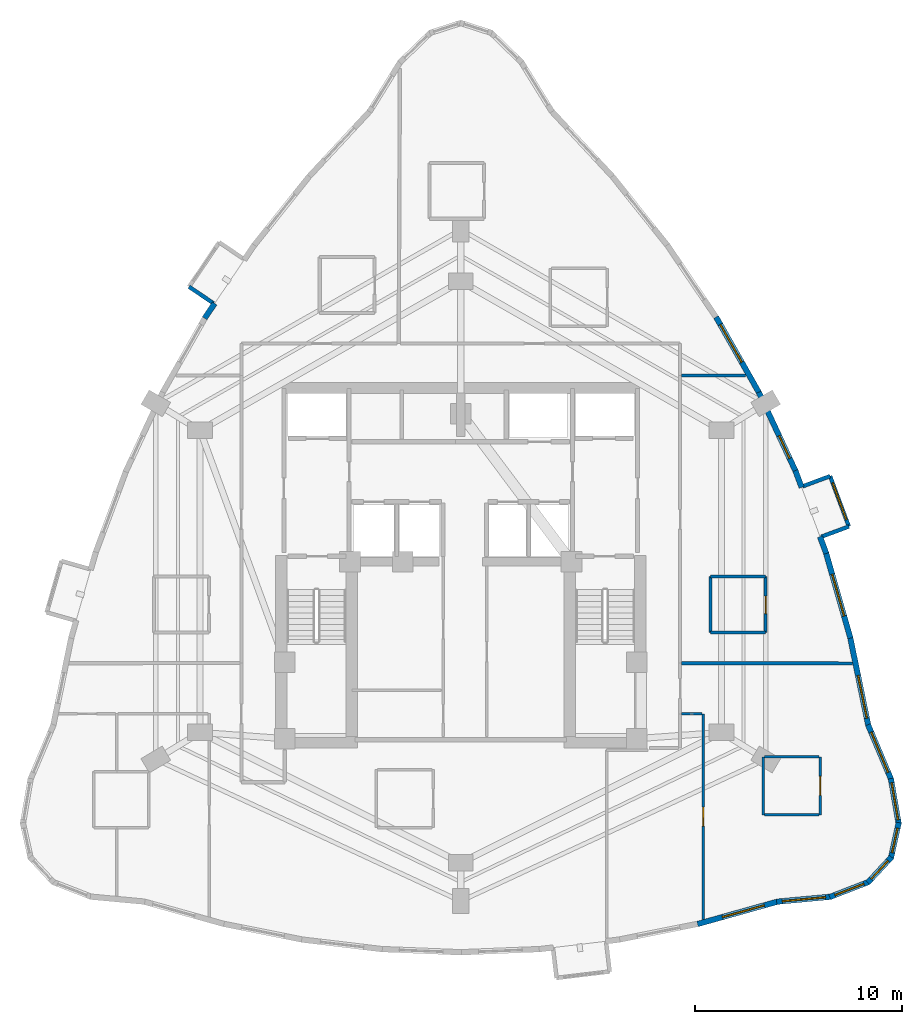
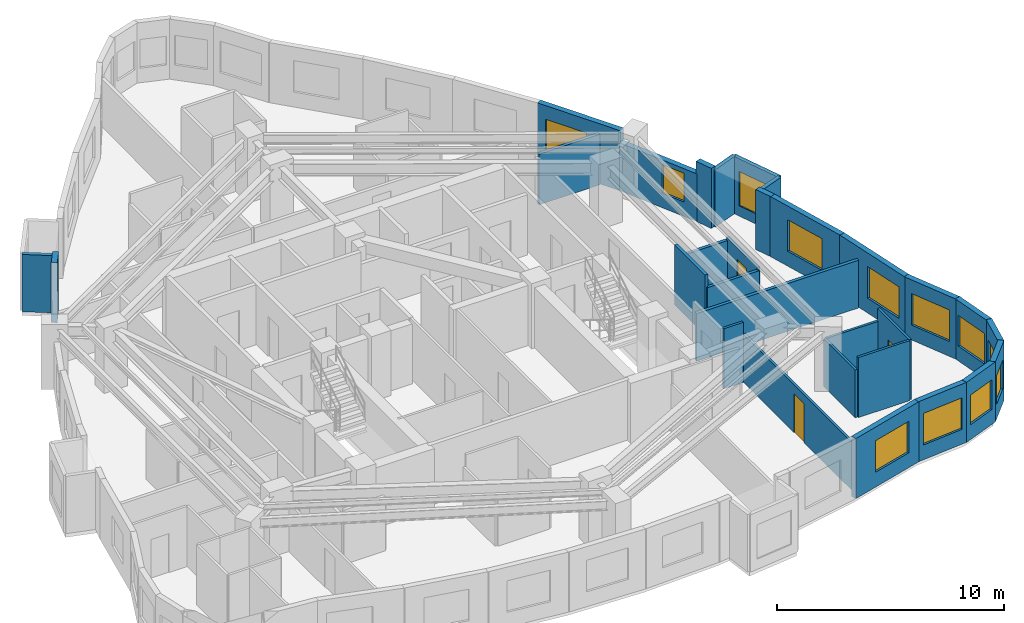
# One storey, part 7 of 10: 30 walls, 12 windows, 3 doors, 15 openings.
"""IFC4 building model written with IfcOpenShell, lengths in metres."""

from ifc_helpers import new_model, si_unit, direction, frame, frame_2d, origin, place, context, subcontext, project, spatial, rectangle, extrude, material, layer, layer_set, type_object, element, fill, save


model = new_model("IFC4")

# Units and contexts
model_context = context("Model", 3, precision=1e-05, world=origin(), true_north=direction((0.0, 1.0)))
body_context = subcontext(model_context, "Body", "Model", "MODEL_VIEW")
ifc_project = project(units=[si_unit("LENGTHUNIT", "METRE"), si_unit("AREAUNIT", "SQUARE_METRE"), si_unit("VOLUMEUNIT", "CUBIC_METRE"), si_unit("PLANEANGLEUNIT", "RADIAN"), si_unit("MASSUNIT", "GRAM", prefix="KILO")], contexts=[model_context])

# Site, building, storey
site_placement = place(None, origin())
site = spatial("IfcSite", under=ifc_project, at=site_placement, CompositionType="ELEMENT")
building_placement = place(site_placement, origin())
building = spatial("IfcBuilding", under=site, at=building_placement, Name="Miruveldt Soraemaru", CompositionType="ELEMENT")
storey_placement = place(building_placement, frame((0.0, 0.0, 173.89990234375)))
storey = spatial("IfcBuildingStorey", under=building, at=storey_placement, Name="L48", CompositionType="ELEMENT", Elevation=173.89990234375)

# Walls
ifc_material_1 = material(Name="White powder-coated aluminium EN AW-6060 T6", Category="aluminium")
ifc_layer_1 = layer(ifc_material_1, 0.18994140625, Name="White powder-coated aluminium EN AW-6060 T6", Category="aluminium")
ifc_layer_set_1 = layer_set([ifc_layer_1], Name="White powder-coated aluminium EN AW-6060 T6")
wall_type_1 = type_object("IfcWallType", Name="WALL-BAY-ALU190", PredefinedType="SOLIDWALL", material=ifc_layer_set_1)
for number, where, z_axis, x_axis, name in (
    (1, (30.864990234375, 57.342529296875, 0.0), (0.0, 0.0, 1.0), (0.827862228344, -0.560931485016, 0.0), "L48 Bay Window Side Cheek 1R"),
    (2, (61.424560546875, 45.257080078125, 0.0), (0.0, 0.0, 1.0), (0.937129361406, 0.348982177182, 0.0), "L48 Bay Window Side Cheek 4L"),
    (3, (61.8525390625, 48.19091796875, 0.0), (0.0, 0.0, 1.0), (-0.937129361406, -0.348982177182, 0.0), "L48 Bay Window Side Cheek 4R"),
):
    element("IfcWall", number, at=place(storey_placement, frame(where, z_axis=z_axis, x_axis=x_axis)), inside=storey, type_object=wall_type_1, Name=name, PredefinedType="SOLIDWALL", context=body_context, shape_type="SweptSolid", body=[
        extrude(rectangle(XDim=1.425048828125, YDim=0.18994140625, at=frame_2d((0.71240234375, 0.0))), origin(), (0.0, 0.0, 1.0), 3.085205078125),
    ])

# Wall, opening, window
wall_1_placement = place(storey_placement, frame((62.760009765625, 45.75439453125, 0.0), z_axis=(0.0, 0.0, 1.0), x_axis=(-0.349023333144, 0.937114034107, 0.0)))
wall_1 = element("IfcWall", 4, at=wall_1_placement, inside=storey, type_object=wall_type_1, Name="L48 Bay Window Front Frame 4", PredefinedType="SOLIDWALL", context=body_context, shape_type="SweptSolid", body=[
    extrude(rectangle(XDim=2.60009765625, YDim=0.18994140625, at=frame_2d((1.300048828125, 0.0))), origin(), (0.0, 0.0, 1.0), 3.085205078125),
])
opening_1_placement = place(wall_1_placement, frame((0.35009765625, 0.0, 0.550048828125)))
opening_1 = element("IfcOpeningElement", 5, at=opening_1_placement, cuts=wall_1, Name="Opening WN-6", PredefinedType="OPENING", context=body_context, shape_type="SweptSolid", body=[
    extrude(rectangle(XDim=1.89990234375, YDim=1.85009765625, at=frame_2d((0.949951171875, 0.925048828125))), frame((0.0, 0.10498046875, 0.0), z_axis=(0.0, -1.0, 0.0), x_axis=(1.0, 0.0, 0.0)), (0.0, 0.0, 1.0), 0.2099609375),
])
ifc_material_2 = material(Name="Triple low-e insulated glazing", Category="glass")
window_type_1 = type_object("IfcWindowType", Name="WIN-BAYW-1900x1850", PartitioningType="SINGLE_PANEL", PredefinedType="WINDOW", material=ifc_material_2)
window_1_placement = place(opening_1_placement, origin())
window_1 = element("IfcWindow", 6, at=window_1_placement, inside=storey, type_object=window_type_1, Name="L48 Projecting Bay Window 4", OverallHeight=1.85009765625, OverallWidth=1.89990234375, PartitioningType="SINGLE_PANEL", PredefinedType="WINDOW", context=body_context, shape_type="SweptSolid", body=[
    extrude(rectangle(XDim=1.89990234375, YDim=1.85009765625, at=frame_2d((0.949951171875, 0.925048828125))), frame((0.0, 0.030029296875, 0.0), z_axis=(0.0, -1.0, 0.0), x_axis=(1.0, 0.0, 0.0)), (0.0, 0.0, 1.0), 0.06005859375),
])
fill(opening_1, window_1)

# Wall
ifc_material_3 = material(Name="Precast concrete C45/55 (45 MPa)", Category="concrete")
ifc_layer_2 = layer(ifc_material_3, 0.27001953125, Name="Precast concrete C45/55 (45 MPa)", Category="concrete")
ifc_layer_set_2 = layer_set([ifc_layer_2], Name="Precast concrete C45/55 (45 MPa)")
wall_type_2 = type_object("IfcWallType", Name="WALL-EXT-PC270", PredefinedType="SOLIDWALL", material=ifc_layer_set_2)
wall_2_placement = place(storey_placement, frame((32.10693359375, 56.537353515625, 0.0), z_axis=(0.0, 0.0, 1.0), x_axis=(-0.560661430065, -0.828045144203, 0.0)))
element("IfcWall", 7, at=wall_2_placement, inside=storey, type_object=wall_type_2, Name="L48 Precast Pier Wall 9B", PredefinedType="SOLIDWALL", context=body_context, shape_type="SweptSolid", body=[
    extrude(rectangle(XDim=0.867431640625, YDim=0.27001953125, at=frame_2d((0.43359375, 0.0))), origin(), (0.0, 0.0, 1.0), 3.235107421875),
])

# Wall, opening, window
wall_3_placement = place(storey_placement, frame((55.44384765625, 26.54052734375, 0.0), z_axis=(0.0, 0.0, 1.0), x_axis=(0.962966528266, 0.269620966245, 0.0)))
wall_3 = element("IfcWall", 8, at=wall_3_placement, inside=storey, type_object=wall_type_2, Name="L48 Precast Concrete Facade Wall 28", PredefinedType="SOLIDWALL", context=body_context, shape_type="SweptSolid", body=[
    extrude(rectangle(XDim=4.04296875, YDim=0.27001953125, at=frame_2d((2.021484375, 0.0))), origin(), (0.0, 0.0, 1.0), 3.235107421875),
])
opening_2_placement = place(wall_3_placement, frame((1.25, 0.0, 0.800048828125)))
opening_2 = element("IfcOpeningElement", 9, at=opening_2_placement, cuts=wall_3, Name="Opening WN-1", PredefinedType="OPENING", context=body_context, shape_type="SweptSolid", body=[
    extrude(rectangle(XDim=2.10009765625, YDim=1.699951171875, at=frame_2d((1.050048828125, 0.85009765625))), frame((0.0, 0.14501953125, 0.0), z_axis=(0.0, -1.0, 0.0), x_axis=(1.0, 0.0, 0.0)), (0.0, 0.0, 1.0), 0.2900390625),
])
window_type_2 = type_object("IfcWindowType", Name="WIN-PUNCH-2100x1700", PartitioningType="SINGLE_PANEL", PredefinedType="WINDOW", material=ifc_material_2)
window_2_placement = place(opening_2_placement, origin())
window_2 = element("IfcWindow", 10, at=window_2_placement, inside=storey, type_object=window_type_2, Name="L48 Punched Triple-Glazed Window 28.1", OverallHeight=1.699951171875, OverallWidth=2.10009765625, PartitioningType="SINGLE_PANEL", PredefinedType="WINDOW", context=body_context, shape_type="SweptSolid", body=[
    extrude(rectangle(XDim=2.10009765625, YDim=1.699951171875, at=frame_2d((1.050048828125, 0.85009765625))), frame((0.0, 0.030029296875, 0.0), z_axis=(0.0, -1.0, 0.0), x_axis=(1.0, 0.0, 0.0)), (0.0, 0.0, 1.0), 0.06005859375),
])
fill(opening_2, window_2)

wall_4_placement = place(storey_placement, frame((59.2685546875, 27.617919921875, 0.0), z_axis=(0.0, 0.0, 1.0), x_axis=(0.995763558501, 0.091950723555, 0.0)))
wall_4 = element("IfcWall", 11, at=wall_4_placement, inside=storey, type_object=wall_type_2, Name="L48 Precast Concrete Facade Wall 29", PredefinedType="SOLIDWALL", context=body_context, shape_type="SweptSolid", body=[
    extrude(rectangle(XDim=2.64453125, YDim=0.27001953125, at=frame_2d((1.322265625, 0.0))), origin(), (0.0, 0.0, 1.0), 3.235107421875),
])
opening_3_placement = place(wall_4_placement, frame((0.27197265625, 0.0, 0.800048828125)))
opening_3 = element("IfcOpeningElement", 12, at=opening_3_placement, cuts=wall_4, Name="Opening WN-1", PredefinedType="OPENING", context=body_context, shape_type="SweptSolid", body=[
    extrude(rectangle(XDim=2.10009765625, YDim=1.699951171875, at=frame_2d((1.050048828125, 0.85009765625))), frame((0.0, 0.14501953125, 0.0), z_axis=(0.0, -1.0, 0.0), x_axis=(1.0, 0.0, 0.0)), (0.0, 0.0, 1.0), 0.2900390625),
])
window_3_placement = place(opening_3_placement, origin())
window_3 = element("IfcWindow", 13, at=window_3_placement, inside=storey, type_object=window_type_2, Name="L48 Punched Triple-Glazed Window 29.1", OverallHeight=1.699951171875, OverallWidth=2.10009765625, PartitioningType="SINGLE_PANEL", PredefinedType="WINDOW", context=body_context, shape_type="SweptSolid", body=[
    extrude(rectangle(XDim=2.10009765625, YDim=1.699951171875, at=frame_2d((1.050048828125, 0.85009765625))), frame((0.0, 0.030029296875, 0.0), z_axis=(0.0, -1.0, 0.0), x_axis=(1.0, 0.0, 0.0)), (0.0, 0.0, 1.0), 0.06005859375),
])
fill(opening_3, window_3)

wall_5_placement = place(storey_placement, frame((61.834228515625, 27.84521484375, 0.0), z_axis=(0.0, 0.0, 1.0), x_axis=(0.932267974852, 0.361768466101, 0.0)))
wall_5 = element("IfcWall", 14, at=wall_5_placement, inside=storey, type_object=wall_type_2, Name="L48 Precast Concrete Facade Wall 30", PredefinedType="SOLIDWALL", context=body_context, shape_type="SweptSolid", body=[
    extrude(rectangle(XDim=2.033935546875, YDim=0.27001953125, at=frame_2d((1.01708984375, 0.0))), origin(), (0.0, 0.0, 1.0), 3.235107421875),
])
opening_4_placement = place(wall_5_placement, frame((0.26708984375, 0.0, 0.800048828125)))
opening_4 = element("IfcOpeningElement", 15, at=opening_4_placement, cuts=wall_5, Name="Opening WN-3", PredefinedType="OPENING", context=body_context, shape_type="SweptSolid", body=[
    extrude(rectangle(XDim=1.5, YDim=1.60009765625, at=frame_2d((0.75, 0.800048828125))), frame((0.0, 0.14501953125, 0.0), z_axis=(0.0, -1.0, 0.0), x_axis=(1.0, 0.0, 0.0)), (0.0, 0.0, 1.0), 0.2900390625),
])
window_type_3 = type_object("IfcWindowType", Name="WIN-PUNCH-1500x1600", PartitioningType="SINGLE_PANEL", PredefinedType="WINDOW", material=ifc_material_2)
window_4_placement = place(opening_4_placement, origin())
window_4 = element("IfcWindow", 16, at=window_4_placement, inside=storey, type_object=window_type_3, Name="L48 Punched Triple-Glazed Window 30.1", OverallHeight=1.60009765625, OverallWidth=1.5, PartitioningType="SINGLE_PANEL", PredefinedType="WINDOW", context=body_context, shape_type="SweptSolid", body=[
    extrude(rectangle(XDim=1.5, YDim=1.60009765625, at=frame_2d((0.75, 0.800048828125))), frame((0.0, 0.030029296875, 0.0), z_axis=(0.0, -1.0, 0.0), x_axis=(1.0, 0.0, 0.0)), (0.0, 0.0, 1.0), 0.06005859375),
])
fill(opening_4, window_4)

wall_6_placement = place(storey_placement, frame((63.674072265625, 28.54248046875, 0.0), z_axis=(0.0, 0.0, 1.0), x_axis=(0.68010098508, 0.733118442064, 0.0)))
wall_6 = element("IfcWall", 17, at=wall_6_placement, inside=storey, type_object=wall_type_2, Name="L48 Precast Concrete Facade Wall 31", PredefinedType="SOLIDWALL", context=body_context, shape_type="SweptSolid", body=[
    extrude(rectangle(XDim=1.685302734375, YDim=0.27001953125, at=frame_2d((0.8427734375, 0.0))), origin(), (0.0, 0.0, 1.0), 3.235107421875),
])
opening_5_placement = place(wall_6_placement, frame((0.241943359375, 0.0, 0.780029296875)))
opening_5 = element("IfcOpeningElement", 18, at=opening_5_placement, cuts=wall_6, Name="Opening WN-4", PredefinedType="OPENING", context=body_context, shape_type="SweptSolid", body=[
    extrude(rectangle(XDim=1.199951171875, YDim=1.550048828125, at=frame_2d((0.60009765625, 0.77490234375))), frame((0.0, 0.14501953125, 0.0), z_axis=(0.0, -1.0, 0.0), x_axis=(1.0, 0.0, 0.0)), (0.0, 0.0, 1.0), 0.2900390625),
])
window_type_4 = type_object("IfcWindowType", Name="WIN-PUNCH-1200x1550", PartitioningType="SINGLE_PANEL", PredefinedType="WINDOW", material=ifc_material_2)
window_5_placement = place(opening_5_placement, origin())
window_5 = element("IfcWindow", 19, at=window_5_placement, inside=storey, type_object=window_type_4, Name="L48 Punched Triple-Glazed Window 31.1", OverallHeight=1.550048828125, OverallWidth=1.199951171875, PartitioningType="SINGLE_PANEL", PredefinedType="WINDOW", context=body_context, shape_type="SweptSolid", body=[
    extrude(rectangle(XDim=1.199951171875, YDim=1.550048828125, at=frame_2d((0.60009765625, 0.77490234375))), frame((0.0, 0.030029296875, 0.0), z_axis=(0.0, -1.0, 0.0), x_axis=(1.0, 0.0, 0.0)), (0.0, 0.0, 1.0), 0.06005859375),
])
fill(opening_5, window_5)

wall_7_placement = place(storey_placement, frame((64.788818359375, 29.718017578125, 0.0), z_axis=(0.0, 0.0, 1.0), x_axis=(0.215862834364, 0.976423697347, 0.0)))
wall_7 = element("IfcWall", 20, at=wall_7_placement, inside=storey, type_object=wall_type_2, Name="L48 Precast Concrete Facade Wall 32", PredefinedType="SOLIDWALL", context=body_context, shape_type="SweptSolid", body=[
    extrude(rectangle(XDim=1.767822265625, YDim=0.27001953125, at=frame_2d((0.8837890625, 0.0))), origin(), (0.0, 0.0, 1.0), 3.235107421875),
])
opening_6_placement = place(wall_7_placement, frame((0.283935546875, 0.0, 0.780029296875)))
opening_6 = element("IfcOpeningElement", 21, at=opening_6_placement, cuts=wall_7, Name="Opening WN-4", PredefinedType="OPENING", context=body_context, shape_type="SweptSolid", body=[
    extrude(rectangle(XDim=1.199951171875, YDim=1.550048828125, at=frame_2d((0.60009765625, 0.77490234375))), frame((0.0, 0.14501953125, 0.0), z_axis=(0.0, -1.0, 0.0), x_axis=(1.0, 0.0, 0.0)), (0.0, 0.0, 1.0), 0.2900390625),
])
window_6_placement = place(opening_6_placement, origin())
window_6 = element("IfcWindow", 22, at=window_6_placement, inside=storey, type_object=window_type_4, Name="L48 Punched Triple-Glazed Window 32.1", OverallHeight=1.550048828125, OverallWidth=1.199951171875, PartitioningType="SINGLE_PANEL", PredefinedType="WINDOW", context=body_context, shape_type="SweptSolid", body=[
    extrude(rectangle(XDim=1.199951171875, YDim=1.550048828125, at=frame_2d((0.60009765625, 0.77490234375))), frame((0.0, 0.030029296875, 0.0), z_axis=(0.0, -1.0, 0.0), x_axis=(1.0, 0.0, 0.0)), (0.0, 0.0, 1.0), 0.06005859375),
])
fill(opening_6, window_6)

wall_8_placement = place(storey_placement, frame((65.168701171875, 31.37548828125, 0.0), z_axis=(0.0, 0.0, 1.0), x_axis=(-0.169397854445, 0.985547749685, 0.0)))
wall_8 = element("IfcWall", 23, at=wall_8_placement, inside=storey, type_object=wall_type_2, Name="L48 Precast Concrete Facade Wall 33", PredefinedType="SOLIDWALL", context=body_context, shape_type="SweptSolid", body=[
    extrude(rectangle(XDim=2.232421875, YDim=0.27001953125, at=frame_2d((1.1162109375, 0.0))), origin(), (0.0, 0.0, 1.0), 3.235107421875),
])
opening_7_placement = place(wall_8_placement, frame((0.216064453125, 0.0, 0.800048828125)))
opening_7 = element("IfcOpeningElement", 24, at=opening_7_placement, cuts=wall_8, Name="Opening WN-2", PredefinedType="OPENING", context=body_context, shape_type="SweptSolid", body=[
    extrude(rectangle(XDim=1.800048828125, YDim=1.64990234375, at=frame_2d((0.89990234375, 0.824951171875))), frame((0.0, 0.14501953125, 0.0), z_axis=(0.0, -1.0, 0.0), x_axis=(1.0, 0.0, 0.0)), (0.0, 0.0, 1.0), 0.2900390625),
])
window_type_5 = type_object("IfcWindowType", Name="WIN-PUNCH-1800x1650", PartitioningType="SINGLE_PANEL", PredefinedType="WINDOW", material=ifc_material_2)
window_7_placement = place(opening_7_placement, origin())
window_7 = element("IfcWindow", 25, at=window_7_placement, inside=storey, type_object=window_type_5, Name="L48 Punched Triple-Glazed Window 33.1", OverallHeight=1.64990234375, OverallWidth=1.800048828125, PartitioningType="SINGLE_PANEL", PredefinedType="WINDOW", context=body_context, shape_type="SweptSolid", body=[
    extrude(rectangle(XDim=1.800048828125, YDim=1.64990234375, at=frame_2d((0.89990234375, 0.824951171875))), frame((0.0, 0.030029296875, 0.0), z_axis=(0.0, -1.0, 0.0), x_axis=(1.0, 0.0, 0.0)), (0.0, 0.0, 1.0), 0.06005859375),
])
fill(opening_7, window_7)

wall_9_placement = place(storey_placement, frame((64.81005859375, 33.5087890625, 0.0), z_axis=(0.0, 0.0, 1.0), x_axis=(-0.388603247953, 0.921405185399, 0.0)))
wall_9 = element("IfcWall", 26, at=wall_9_placement, inside=storey, type_object=wall_type_2, Name="L48 Precast Concrete Facade Wall 34", PredefinedType="SOLIDWALL", context=body_context, shape_type="SweptSolid", body=[
    extrude(rectangle(XDim=2.89697265625, YDim=0.27001953125, at=frame_2d((1.448486328125, 0.0))), origin(), (0.0, 0.0, 1.0), 3.235107421875),
])
opening_8_placement = place(wall_9_placement, frame((0.39892578125, 0.0, 0.800048828125)))
opening_8 = element("IfcOpeningElement", 27, at=opening_8_placement, cuts=wall_9, Name="Opening WN-1", PredefinedType="OPENING", context=body_context, shape_type="SweptSolid", body=[
    extrude(rectangle(XDim=2.10009765625, YDim=1.699951171875, at=frame_2d((1.050048828125, 0.85009765625))), frame((0.0, 0.14501953125, 0.0), z_axis=(0.0, -1.0, 0.0), x_axis=(1.0, 0.0, 0.0)), (0.0, 0.0, 1.0), 0.2900390625),
])
window_8_placement = place(opening_8_placement, origin())
window_8 = element("IfcWindow", 28, at=window_8_placement, inside=storey, type_object=window_type_2, Name="L48 Punched Triple-Glazed Window 34.1", OverallHeight=1.699951171875, OverallWidth=2.10009765625, PartitioningType="SINGLE_PANEL", PredefinedType="WINDOW", context=body_context, shape_type="SweptSolid", body=[
    extrude(rectangle(XDim=2.10009765625, YDim=1.699951171875, at=frame_2d((1.050048828125, 0.85009765625))), frame((0.0, 0.030029296875, 0.0), z_axis=(0.0, -1.0, 0.0), x_axis=(1.0, 0.0, 0.0)), (0.0, 0.0, 1.0), 0.06005859375),
])
fill(opening_8, window_8)

wall_10_placement = place(storey_placement, frame((63.705078125, 36.111572265625, 0.0), z_axis=(0.0, 0.0, 1.0), x_axis=(-0.20160132196, 0.979467665104, 0.0)))
wall_10 = element("IfcWall", 29, at=wall_10_placement, inside=storey, type_object=wall_type_2, Name="L48 Precast Concrete Facade Wall 35", PredefinedType="SOLIDWALL", context=body_context, shape_type="SweptSolid", body=[
    extrude(rectangle(XDim=4.40576171875, YDim=0.27001953125, at=frame_2d((2.202880859375, 0.0))), origin(), (0.0, 0.0, 1.0), 3.235107421875),
])
opening_9_placement = place(wall_10_placement, frame((0.389892578125, 0.0, 0.800048828125)))
opening_9 = element("IfcOpeningElement", 30, at=opening_9_placement, cuts=wall_10, Name="Opening WN-1", PredefinedType="OPENING", context=body_context, shape_type="SweptSolid", body=[
    extrude(rectangle(XDim=2.10009765625, YDim=1.699951171875, at=frame_2d((1.050048828125, 0.85009765625))), frame((0.0, 0.14501953125, 0.0), z_axis=(0.0, -1.0, 0.0), x_axis=(1.0, 0.0, 0.0)), (0.0, 0.0, 1.0), 0.2900390625),
])
window_9_placement = place(opening_9_placement, origin())
window_9 = element("IfcWindow", 31, at=window_9_placement, inside=storey, type_object=window_type_2, Name="L48 Punched Triple-Glazed Window 35.1", OverallHeight=1.699951171875, OverallWidth=2.10009765625, PartitioningType="SINGLE_PANEL", PredefinedType="WINDOW", context=body_context, shape_type="SweptSolid", body=[
    extrude(rectangle(XDim=2.10009765625, YDim=1.699951171875, at=frame_2d((1.050048828125, 0.85009765625))), frame((0.0, 0.030029296875, 0.0), z_axis=(0.0, -1.0, 0.0), x_axis=(1.0, 0.0, 0.0)), (0.0, 0.0, 1.0), 0.06005859375),
])
fill(opening_9, window_9)

wall_11_placement = place(storey_placement, frame((62.83349609375, 40.358642578125, 0.0), z_axis=(0.0, 0.0, 1.0), x_axis=(-0.274959546447, 0.961455796081, 0.0)))
wall_11 = element("IfcWall", 32, at=wall_11_placement, inside=storey, type_object=wall_type_2, Name="L48 Precast Concrete Facade Wall 36", PredefinedType="SOLIDWALL", context=body_context, shape_type="SweptSolid", body=[
    extrude(rectangle(XDim=4.32763671875, YDim=0.27001953125, at=frame_2d((2.163818359375, 0.0))), origin(), (0.0, 0.0, 1.0), 3.235107421875),
])
opening_10_placement = place(wall_11_placement, frame((1.114013671875, 0.0, 0.800048828125)))
opening_10 = element("IfcOpeningElement", 33, at=opening_10_placement, cuts=wall_11, Name="Opening WN-1", PredefinedType="OPENING", context=body_context, shape_type="SweptSolid", body=[
    extrude(rectangle(XDim=2.10009765625, YDim=1.699951171875, at=frame_2d((1.050048828125, 0.85009765625))), frame((0.0, 0.14501953125, 0.0), z_axis=(0.0, -1.0, 0.0), x_axis=(1.0, 0.0, 0.0)), (0.0, 0.0, 1.0), 0.2900390625),
])
window_10_placement = place(opening_10_placement, origin())
window_10 = element("IfcWindow", 34, at=window_10_placement, inside=storey, type_object=window_type_2, Name="L48 Punched Triple-Glazed Window 36.1", OverallHeight=1.699951171875, OverallWidth=2.10009765625, PartitioningType="SINGLE_PANEL", PredefinedType="WINDOW", context=body_context, shape_type="SweptSolid", body=[
    extrude(rectangle(XDim=2.10009765625, YDim=1.699951171875, at=frame_2d((1.050048828125, 0.85009765625))), frame((0.0, 0.030029296875, 0.0), z_axis=(0.0, -1.0, 0.0), x_axis=(1.0, 0.0, 0.0)), (0.0, 0.0, 1.0), 0.06005859375),
])
fill(opening_10, window_10)

# Walls
for number, where, z_axis, x_axis, name in (
    (35, (61.665283203125, 44.453125, 0.0), (0.0, 0.0, 1.0), (-0.348963652288, 0.937136259773, 0.0), "L48 Precast Pier Wall 37A"),
    (36, (60.476318359375, 47.646240234375, 0.0), (0.0, 0.0, 1.0), (-0.349302870024, 0.937009874544, 0.0), "L48 Precast Pier Wall 37B"),
):
    element("IfcWall", number, at=place(storey_placement, frame(where, z_axis=z_axis, x_axis=x_axis)), inside=storey, type_object=wall_type_2, Name=name, PredefinedType="SOLIDWALL", context=body_context, shape_type="SweptSolid", body=[
        extrude(rectangle(XDim=0.867431640625, YDim=0.27001953125, at=frame_2d((0.43359375, 0.0))), origin(), (0.0, 0.0, 1.0), 3.235107421875),
    ])

# Wall, opening, window
wall_12_placement = place(storey_placement, frame((60.200439453125, 48.39453125, 0.0), z_axis=(0.0, 0.0, 1.0), x_axis=(-0.422331680963, 0.906441366694, 0.0)))
wall_12 = element("IfcWall", 37, at=wall_12_placement, inside=storey, type_object=wall_type_2, Name="L48 Precast Concrete Facade Wall 38", PredefinedType="SOLIDWALL", context=body_context, shape_type="SweptSolid", body=[
    extrude(rectangle(XDim=4.248291015625, YDim=0.27001953125, at=frame_2d((2.1240234375, 0.0))), origin(), (0.0, 0.0, 1.0), 2.572998046875),
])
opening_11_placement = place(wall_12_placement, frame((0.72412109375, 0.0, 0.780029296875)))
opening_11 = element("IfcOpeningElement", 38, at=opening_11_placement, cuts=wall_12, Name="Opening WN-4", PredefinedType="OPENING", context=body_context, shape_type="SweptSolid", body=[
    extrude(rectangle(XDim=1.199951171875, YDim=1.550048828125, at=frame_2d((0.60009765625, 0.77490234375))), frame((0.0, 0.14501953125, 0.0), z_axis=(0.0, -1.0, 0.0), x_axis=(1.0, 0.0, 0.0)), (0.0, 0.0, 1.0), 0.2900390625),
])
window_11_placement = place(opening_11_placement, origin())
window_11 = element("IfcWindow", 39, at=window_11_placement, inside=storey, type_object=window_type_4, Name="L48 Punched Triple-Glazed Window 38.1", OverallHeight=1.550048828125, OverallWidth=1.199951171875, PartitioningType="SINGLE_PANEL", PredefinedType="WINDOW", context=body_context, shape_type="SweptSolid", body=[
    extrude(rectangle(XDim=1.199951171875, YDim=1.550048828125, at=frame_2d((0.60009765625, 0.77490234375))), frame((0.0, 0.030029296875, 0.0), z_axis=(0.0, -1.0, 0.0), x_axis=(1.0, 0.0, 0.0)), (0.0, 0.0, 1.0), 0.06005859375),
])
fill(opening_11, window_11)

wall_13_placement = place(storey_placement, frame((58.4384765625, 52.183349609375, 0.0), z_axis=(0.0, 0.0, 1.0), x_axis=(-0.493382289932, 0.869812575203, 0.0)))
wall_13 = element("IfcWall", 40, at=wall_13_placement, inside=storey, type_object=wall_type_2, Name="L48 Precast Concrete Facade Wall 39", PredefinedType="SOLIDWALL", context=body_context, shape_type="SweptSolid", body=[
    extrude(rectangle(XDim=4.248046875, YDim=0.27001953125, at=frame_2d((2.1240234375, 0.0))), origin(), (0.0, 0.0, 1.0), 3.235107421875),
])
opening_12_placement = place(wall_13_placement, frame((1.735107421875, 0.0, 0.800048828125)))
opening_12 = element("IfcOpeningElement", 41, at=opening_12_placement, cuts=wall_13, Name="Opening WN-1", PredefinedType="OPENING", context=body_context, shape_type="SweptSolid", body=[
    extrude(rectangle(XDim=2.10009765625, YDim=1.699951171875, at=frame_2d((1.050048828125, 0.85009765625))), frame((0.0, 0.14501953125, 0.0), z_axis=(0.0, -1.0, 0.0), x_axis=(1.0, 0.0, 0.0)), (0.0, 0.0, 1.0), 0.2900390625),
])
window_12_placement = place(opening_12_placement, origin())
window_12 = element("IfcWindow", 42, at=window_12_placement, inside=storey, type_object=window_type_2, Name="L48 Punched Triple-Glazed Window 39.1", OverallHeight=1.699951171875, OverallWidth=2.10009765625, PartitioningType="SINGLE_PANEL", PredefinedType="WINDOW", context=body_context, shape_type="SweptSolid", body=[
    extrude(rectangle(XDim=2.10009765625, YDim=1.699951171875, at=frame_2d((1.050048828125, 0.85009765625))), frame((0.0, 0.030029296875, 0.0), z_axis=(0.0, -1.0, 0.0), x_axis=(1.0, 0.0, 0.0)), (0.0, 0.0, 1.0), 0.06005859375),
])
fill(opening_12, window_12)

# Wall, opening, door
ifc_material_4 = material(Name="Gypsum plasterboard lining", Category="gypsum")
ifc_layer_3 = layer(ifc_material_4, 0.1201171875, Name="Gypsum plasterboard lining", Category="gypsum")
ifc_layer_set_3 = layer_set([ifc_layer_3], Name="Gypsum plasterboard lining")
wall_type_3 = type_object("IfcWallType", Name="WALL-INT-P120", PredefinedType="PARTITIONING", material=ifc_layer_set_3)
wall_14_placement = place(storey_placement, frame((55.72900390625, 36.700927734375, 0.0), z_axis=(0.0, 0.0, 1.0), x_axis=(-0.001917730597, -0.999998161153, 0.0)))
wall_14 = element("IfcWall", 43, at=wall_14_placement, inside=storey, type_object=wall_type_3, Name="L48 Partition Wall 45", PredefinedType="PARTITIONING", context=body_context, shape_type="SweptSolid", body=[
    extrude(rectangle(XDim=9.929931640625, YDim=0.1201171875, at=frame_2d((4.96484375, 0.0))), origin(), (0.0, 0.0, 1.0), 2.572998046875),
])
opening_13_placement = place(wall_14_placement, frame((4.5048828125, 0.0, 0.0)))
opening_13 = element("IfcOpeningElement", 44, at=opening_13_placement, cuts=wall_14, Name="Opening D3A", PredefinedType="OPENING", context=body_context, shape_type="SweptSolid", body=[
    extrude(rectangle(XDim=0.919921875, YDim=2.10009765625, at=frame_2d((0.4599609375, 1.050048828125))), frame((0.0, 0.070068359375, 0.0), z_axis=(0.0, -1.0, 0.0), x_axis=(1.0, 0.0, 0.0)), (0.0, 0.0, 1.0), 0.14013671875),
])
ifc_material_5 = material(Name="Anodised aluminium EN AW-6063 T6", Category="aluminium")
door_type_1 = type_object("IfcDoorType", Name="DOOR-INT-920", OperationType="NOTDEFINED", PredefinedType="DOOR", material=ifc_material_5)
door_1_placement = place(opening_13_placement, origin())
door_1 = element("IfcDoor", 45, at=door_1_placement, inside=storey, type_object=door_type_1, Name="L48 Unit 4805 BD1 Door", OperationType="SINGLE_SWING_LEFT", OverallHeight=2.10009765625, OverallWidth=0.919921875, PredefinedType="DOOR", context=body_context, shape_type="SweptSolid", body=[
    extrude(rectangle(XDim=0.919921875, YDim=2.10009765625, at=frame_2d((0.4599609375, 1.050048828125))), frame((0.0, 0.02490234375, 0.0), z_axis=(0.0, -1.0, 0.0), x_axis=(1.0, 0.0, 0.0)), (0.0, 0.0, 1.0), 0.050048828125),
])
fill(opening_13, door_1)

wall_15_placement = place(storey_placement, frame((61.3798828125, 31.81494140625, 0.0), z_axis=(0.0, 0.0, 1.0), x_axis=(0.0, 1.0, 0.0)))
wall_15 = element("IfcWall", 46, at=wall_15_placement, inside=storey, type_object=wall_type_3, Name="L48 Partition Wall 40", PredefinedType="PARTITIONING", context=body_context, shape_type="SweptSolid", body=[
    extrude(rectangle(XDim=2.800048828125, YDim=0.1201171875, at=frame_2d((1.39990234375, 0.0))), origin(), (0.0, 0.0, 1.0), 3.235107421875),
])
opening_14_placement = place(wall_15_placement, frame((0.93994140625, 0.0, 0.0)))
opening_14 = element("IfcOpeningElement", 47, at=opening_14_placement, cuts=wall_15, Name="Opening D3A", PredefinedType="OPENING", context=body_context, shape_type="SweptSolid", body=[
    extrude(rectangle(XDim=0.919921875, YDim=2.10009765625, at=frame_2d((0.4599609375, 1.050048828125))), frame((0.0, 0.070068359375, 0.0), z_axis=(0.0, -1.0, 0.0), x_axis=(1.0, 0.0, 0.0)), (0.0, 0.0, 1.0), 0.14013671875),
])
door_2_placement = place(opening_14_placement, origin())
door_2 = element("IfcDoor", 48, at=door_2_placement, inside=storey, type_object=door_type_1, Name="L48 Unit 4805 KIT Door", OperationType="SINGLE_SWING_RIGHT", OverallHeight=2.10009765625, OverallWidth=0.919921875, PredefinedType="DOOR", context=body_context, shape_type="SweptSolid", body=[
    extrude(rectangle(XDim=0.919921875, YDim=2.10009765625, at=frame_2d((0.4599609375, 1.050048828125))), frame((0.0, 0.02490234375, 0.0), z_axis=(0.0, -1.0, 0.0), x_axis=(1.0, 0.0, 0.0)), (0.0, 0.0, 1.0), 0.050048828125),
])
fill(opening_14, door_2)

# Walls
wall_16_placement = place(storey_placement, frame((58.6298828125, 34.614990234375, 0.0), z_axis=(0.0, 0.0, 1.0), x_axis=(0.0, -1.0, 0.0)))
element("IfcWall", 49, at=wall_16_placement, inside=storey, type_object=wall_type_3, Name="L48 Partition Wall 42", PredefinedType="PARTITIONING", context=body_context, shape_type="SweptSolid", body=[
    extrude(rectangle(XDim=2.800048828125, YDim=0.1201171875, at=frame_2d((1.39990234375, 0.0))), origin(), (0.0, 0.0, 1.0), 2.572998046875),
])
wall_17_placement = place(storey_placement, frame((61.320068359375, 34.614990234375, 0.0), z_axis=(0.0, 0.0, 1.0), x_axis=(-1.0, 0.0, 0.0)))
element("IfcWall", 50, at=wall_17_placement, inside=storey, type_object=wall_type_3, Name="L48 Partition Wall 41", PredefinedType="PARTITIONING", context=body_context, shape_type="SweptSolid", body=[
    extrude(rectangle(XDim=2.630126953125, YDim=0.1201171875, at=frame_2d((1.31494140625, 0.0))), origin(), (0.0, 0.0, 1.0), 2.572998046875),
])
wall_18_placement = place(storey_placement, frame((58.68994140625, 31.81494140625, 0.0), z_axis=(0.0, 0.0, 1.0), x_axis=(1.0, 0.0, 0.0)))
element("IfcWall", 51, at=wall_18_placement, inside=storey, type_object=wall_type_3, Name="L48 Partition Wall 43", PredefinedType="PARTITIONING", context=body_context, shape_type="SweptSolid", body=[
    extrude(rectangle(XDim=2.630126953125, YDim=0.1201171875, at=frame_2d((1.31494140625, 0.0))), origin(), (0.0, 0.0, 1.0), 3.235107421875),
])
wall_19_placement = place(storey_placement, frame((54.659912109375, 36.700927734375, 0.0), z_axis=(0.0, 0.0, 1.0), x_axis=(1.0, 0.0, 0.0)))
element("IfcWall", 52, at=wall_19_placement, inside=storey, type_object=wall_type_3, Name="L48 Partition Wall 44", PredefinedType="PARTITIONING", context=body_context, shape_type="SweptSolid", body=[
    extrude(rectangle(XDim=1.009033203125, YDim=0.1201171875, at=frame_2d((0.50439453125, 0.0))), origin(), (0.0, 0.0, 1.0), 3.235107421875),
])

# Wall, opening, door
ifc_layer_4 = layer(ifc_material_4, 0.14990234375, Name="Gypsum plasterboard lining", Category="gypsum")
ifc_layer_set_4 = layer_set([ifc_layer_4], Name="Gypsum plasterboard lining")
wall_type_4 = type_object("IfcWallType", Name="WALL-INT-PLUMB", PredefinedType="PLUMBINGWALL", material=ifc_layer_set_4)
wall_20_placement = place(storey_placement, frame((58.72998046875, 40.631103515625, 0.0), z_axis=(0.0, 0.0, 1.0), x_axis=(0.0, 1.0, 0.0)))
wall_20 = element("IfcWall", 53, at=wall_20_placement, inside=storey, type_object=wall_type_4, Name="L48 Partition Wall 47", PredefinedType="PLUMBINGWALL", context=body_context, shape_type="SweptSolid", body=[
    extrude(rectangle(XDim=2.699951171875, YDim=0.14990234375, at=frame_2d((1.35009765625, 0.0))), origin(), (0.0, 0.0, 1.0), 2.72314453125),
])
opening_15_placement = place(wall_20_placement, frame((0.909912109375, 0.0, 0.0)))
opening_15 = element("IfcOpeningElement", 54, at=opening_15_placement, cuts=wall_20, Name="Opening FD3", PredefinedType="OPENING", context=body_context, shape_type="SweptSolid", body=[
    extrude(rectangle(XDim=0.85009765625, YDim=2.10009765625, at=frame_2d((0.425048828125, 1.050048828125))), frame((0.0, 0.0849609375, 0.0), z_axis=(0.0, -1.0, 0.0), x_axis=(1.0, 0.0, 0.0)), (0.0, 0.0, 1.0), 0.169921875),
])
door_type_2 = type_object("IfcDoorType", Name="DOOR-FD3-850", OperationType="NOTDEFINED", PredefinedType="DOOR", material=ifc_material_5)
door_3_placement = place(opening_15_placement, origin())
door_3 = element("IfcDoor", 55, at=door_3_placement, inside=storey, type_object=door_type_2, Name="L48 Unit CL06 BTH Door", OperationType="SINGLE_SWING_LEFT", OverallHeight=2.10009765625, OverallWidth=0.85009765625, PredefinedType="DOOR", context=body_context, shape_type="SweptSolid", body=[
    extrude(rectangle(XDim=0.85009765625, YDim=2.10009765625, at=frame_2d((0.425048828125, 1.050048828125))), frame((0.0, 0.02490234375, 0.0), z_axis=(0.0, -1.0, 0.0), x_axis=(1.0, 0.0, 0.0)), (0.0, 0.0, 1.0), 0.050048828125),
])
fill(opening_15, door_3)

# Walls
wall_21_placement = place(storey_placement, frame((56.080078125, 43.3310546875, 0.0), z_axis=(0.0, 0.0, 1.0), x_axis=(0.0, -1.0, 0.0)))
element("IfcWall", 56, at=wall_21_placement, inside=storey, type_object=wall_type_4, Name="L48 Partition Wall 49", PredefinedType="PLUMBINGWALL", context=body_context, shape_type="SweptSolid", body=[
    extrude(rectangle(XDim=2.699951171875, YDim=0.14990234375, at=frame_2d((1.35009765625, 0.0))), origin(), (0.0, 0.0, 1.0), 3.235107421875),
])
for number, where, z_axis, x_axis, name in (
    (57, (58.72998046875, 43.3310546875, 0.0), (0.0, 0.0, 1.0), (-1.0, 0.0, 0.0), "L48 Partition Wall 48"),
    (58, (56.080078125, 40.631103515625, 0.0), (0.0, 0.0, 1.0), (1.0, 0.0, 0.0), "L48 Partition Wall 50"),
):
    element("IfcWall", number, at=place(storey_placement, frame(where, z_axis=z_axis, x_axis=x_axis)), inside=storey, type_object=wall_type_4, Name=name, PredefinedType="PLUMBINGWALL", context=body_context, shape_type="SweptSolid", body=[
        extrude(rectangle(XDim=2.64990234375, YDim=0.14990234375, at=frame_2d((1.324951171875, 0.0))), origin(), (0.0, 0.0, 1.0), 2.572998046875),
    ])
ifc_material_6 = material(Name="Concrete C40/50 (40 MPa)", Category="concrete")
ifc_layer_5 = layer(ifc_material_6, 0.159912109375, Name="Concrete C40/50 (40 MPa)", Category="concrete")
ifc_layer_set_5 = layer_set([ifc_layer_5], Name="Concrete C40/50 (40 MPa)")
wall_type_5 = type_object("IfcWallType", Name="WALL-INT-RC160", PredefinedType="SOLIDWALL", material=ifc_layer_set_5)
wall_22_placement = place(storey_placement, frame((62.928955078125, 39.136962890625, 0.0), z_axis=(0.0, 0.0, 1.0), x_axis=(-0.999998577036, 0.001686987063, 0.0)))
element("IfcWall", 59, at=wall_22_placement, inside=storey, type_object=wall_type_5, Name="L48 Partition Wall 46", PredefinedType="SOLIDWALL", context=body_context, shape_type="SweptSolid", body=[
    extrude(rectangle(XDim=8.2490234375, YDim=0.159912109375, at=frame_2d((4.12451171875, 0.0))), origin(), (0.0, 0.0, 1.0), 2.572998046875),
])
wall_23_placement = place(storey_placement, frame((54.679931640625, 53.050048828125, 0.0), z_axis=(0.0, 0.0, 1.0), x_axis=(1.0, 0.0, 0.0)))
element("IfcWall", 60, at=wall_23_placement, inside=storey, type_object=wall_type_5, Name="L48 Partition Wall 25", PredefinedType="SOLIDWALL", context=body_context, shape_type="SweptSolid", body=[
    extrude(rectangle(XDim=3.093994140625, YDim=0.159912109375, at=frame_2d((1.546875, 0.0))), origin(), (0.0, 0.0, 1.0), 2.72314453125),
])

save(model, "model.ifc")
